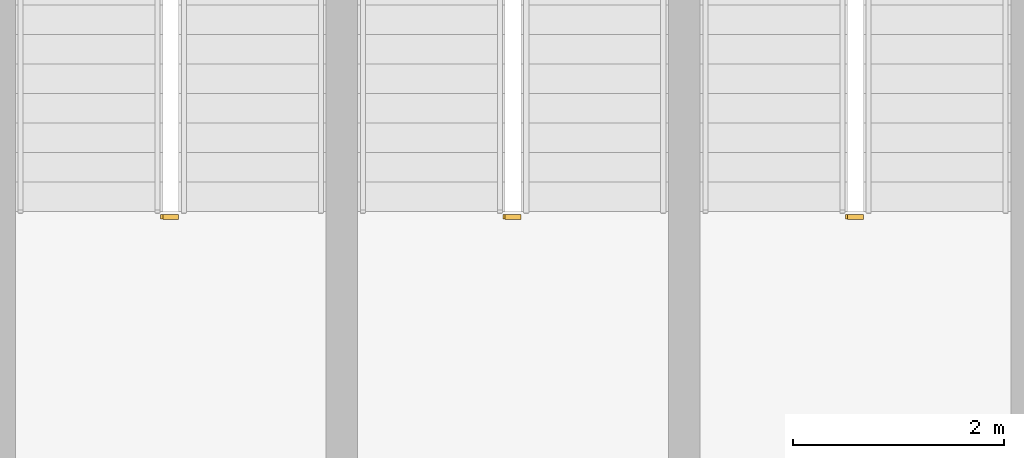
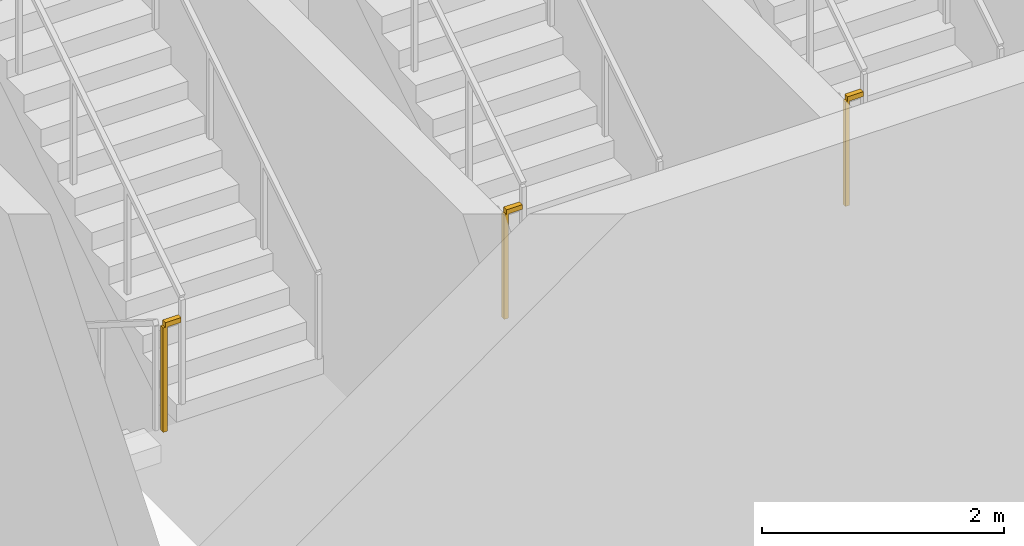
# One storey, part 32 of 74: 3 railings.
"""IFC4 building model written with IfcOpenShell, lengths in metres."""

from ifc_helpers import new_model, si_unit, direction, frame, origin, origin_2d, place, context, subcontext, project, spatial, rectangle, extrude, material, type_object, element, save


model = new_model("IFC4")

# Units and contexts
model_context = context("Model", 3, precision=1e-05, world=origin(), true_north=direction((0.0, 1.0)))
body_context = subcontext(model_context, "Body", "Model", "MODEL_VIEW")
ifc_project = project(units=[si_unit("LENGTHUNIT", "METRE"), si_unit("AREAUNIT", "SQUARE_METRE"), si_unit("VOLUMEUNIT", "CUBIC_METRE"), si_unit("PLANEANGLEUNIT", "RADIAN"), si_unit("MASSUNIT", "GRAM", prefix="KILO")], contexts=[model_context])

# Site, building, storey
site_placement = place(None, origin())
site = spatial("IfcSite", under=ifc_project, at=site_placement, CompositionType="ELEMENT")
building_placement = place(site_placement, origin())
building = spatial("IfcBuilding", under=site, at=building_placement, Name="Noorbagh Ring Tower", CompositionType="ELEMENT")
storey_placement = place(building_placement, frame((0.0, 0.0, 7.5)))
storey = spatial("IfcBuildingStorey", under=building, at=storey_placement, Name="L01", CompositionType="ELEMENT", Elevation=7.5)

# Railings
ifc_material = material(Name="Stainless steel", Category="steel")
railing_type = type_object("IfcRailingType", Name="TH-STAIR-GUARD", PredefinedType="GUARDRAIL", material=ifc_material)
for number, where, name in (
    (1, (-123.449951171875, 21.719970703125, 3.0), "L01 TSN1 stair guard 2"),
    (2, (-120.199951171875, 21.719970703125, 3.0), "L01 TSN2 stair guard 2"),
    (3, (-126.699951171875, 21.719970703125, 3.0), "L01 TSN3 stair guard 2"),
):
    element("IfcRailing", number, at=place(storey_placement, frame(where)), inside=storey, type_object=railing_type, Name=name, PredefinedType="GUARDRAIL", context=body_context, shape_type="SweptSolid", body=[
        extrude(rectangle(XDim=0.048095703125, YDim=0.048095703125, at=origin_2d()), frame((0.0, 0.0, 1.076171875), z_axis=(1.0, 0.0, 0.0), x_axis=(0.0, 1.0, 0.0)), (0.0, 0.0, 1.0), 0.14990234375),
        extrude(rectangle(XDim=0.0419921875, YDim=0.0419921875, at=origin_2d()), origin(), (0.0, 0.0, 1.0), 1.052001953125),
    ])

save(model, "model.ifc")
